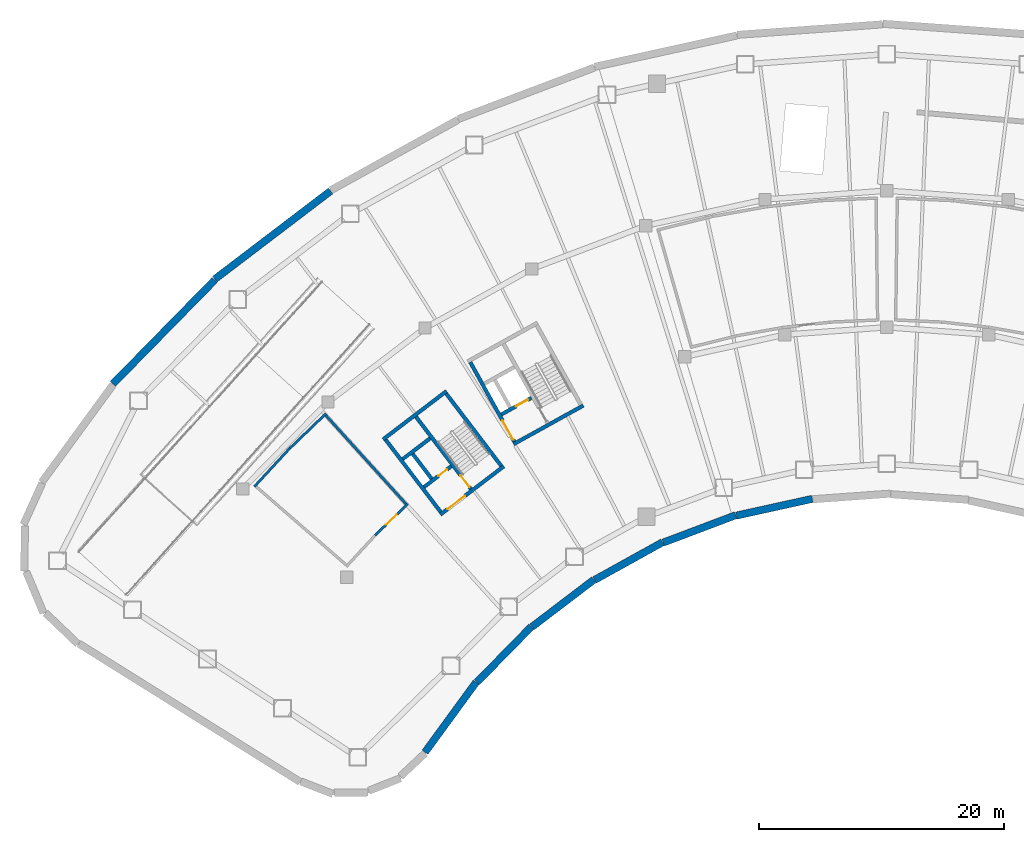
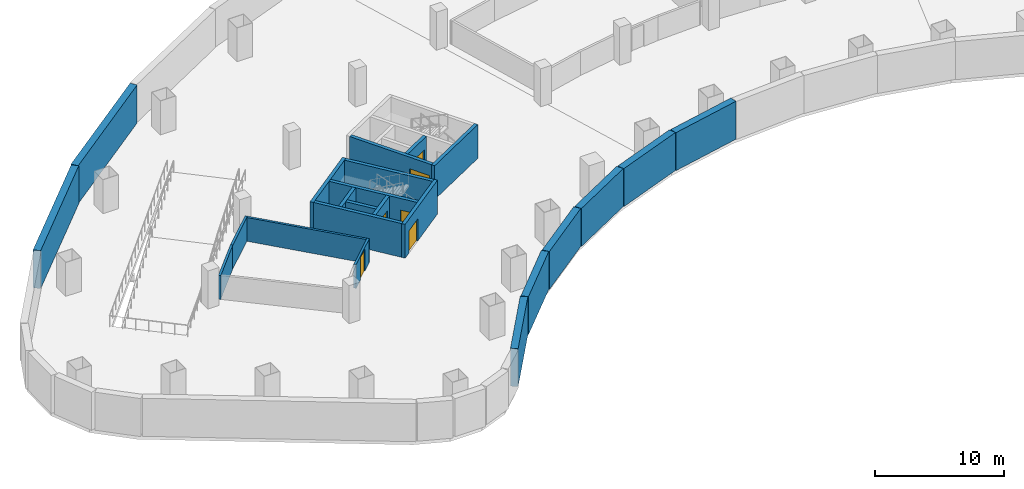
# One storey, part 4 of 10: 23 walls, 6 doors, 6 openings.
"""IFC4 building model written with IfcOpenShell, lengths in metres."""

from ifc_helpers import new_model, si_unit, direction, frame, frame_2d, origin, place, context, subcontext, project, spatial, rectangle, extrude, material, layer, layer_set, type_object, element, fill, save


model = new_model("IFC4")

# Units and contexts
model_context = context("Model", 3, precision=1e-05, world=origin(), true_north=direction((0.0, 1.0)))
body_context = subcontext(model_context, "Body", "Model", "MODEL_VIEW")
ifc_project = project(units=[si_unit("LENGTHUNIT", "METRE"), si_unit("AREAUNIT", "SQUARE_METRE"), si_unit("VOLUMEUNIT", "CUBIC_METRE"), si_unit("PLANEANGLEUNIT", "RADIAN"), si_unit("MASSUNIT", "GRAM", prefix="KILO")], contexts=[model_context])

# Site, building, storey
site_placement = place(None, origin())
site = spatial("IfcSite", under=ifc_project, at=site_placement, CompositionType="ELEMENT")
building_placement = place(site_placement, origin())
building = spatial("IfcBuilding", under=site, at=building_placement, Name="Tuul Gate Civic Tower", CompositionType="ELEMENT")
storey_placement = place(building_placement, frame((0.0, 0.0, -8.10009765625)))
storey = spatial("IfcBuildingStorey", under=building, at=storey_placement, Name="Basement 2", CompositionType="ELEMENT", Elevation=-8.10009765625)

# Walls
ifc_material_1 = material(Name="Concrete block", Category="concrete")
ifc_layer_1 = layer(ifc_material_1, 0.199951171875)
ifc_layer_set_1 = layer_set([ifc_layer_1], Name="Concrete block")
wall_type_1 = type_object("IfcWallType", Name="Basement room wall EI 120", PredefinedType="PARTITIONING", material=ifc_layer_set_1)
wall_1_placement = place(storey_placement, frame((-51.51953125, -15.330322265625, 0.0), z_axis=(0.0, 0.0, 1.0), x_axis=(0.678425052113, 0.734669618717, 0.0)))
element("IfcWall", 1, at=wall_1_placement, inside=storey, type_object=wall_type_1, Name="Room wall", PredefinedType="PARTITIONING", context=body_context, shape_type="SweptSolid", body=[
    extrude(rectangle(XDim=4.266845703125, YDim=0.199951171875, at=frame_2d((2.13330078125, 0.0))), origin(), (0.0, 0.0, 1.0), 2.25),
])
wall_2_placement = place(storey_placement, frame((-48.7646484375, -12.33837890625, 0.0), z_axis=(0.0, 0.0, 1.0), x_axis=(0.720986985757, 0.692948602978, 0.0)))
element("IfcWall", 2, at=wall_2_placement, inside=storey, type_object=wall_type_1, Name="Room wall", PredefinedType="PARTITIONING", context=body_context, shape_type="SweptSolid", body=[
    extrude(rectangle(XDim=4.2666015625, YDim=0.199951171875, at=frame_2d((2.13330078125, 0.0))), origin(), (0.0, 0.0, 1.0), 2.25),
])
wall_3_placement = place(storey_placement, frame((-45.82763671875, -9.376953125, 0.0), z_axis=(0.0, 0.0, 1.0), x_axis=(0.671128511125, -0.741341029186, 0.0)))
element("IfcWall", 3, at=wall_3_placement, inside=storey, type_object=wall_type_1, Name="Room wall", PredefinedType="PARTITIONING", context=body_context, shape_type="SweptSolid", body=[
    extrude(rectangle(XDim=10.12890625, YDim=0.199951171875, at=frame_2d((5.064453125, 0.0))), origin(), (0.0, 0.0, 1.0), 2.25),
])

# Wall, opening, door
wall_4_placement = place(storey_placement, frame((-39.02490234375, -16.742431640625, 0.0), z_axis=(0.0, 0.0, 1.0), x_axis=(-0.720986248136, -0.692949370444, 0.0)))
wall_4 = element("IfcWall", 4, at=wall_4_placement, inside=storey, type_object=wall_type_1, Name="Room wall", PredefinedType="PARTITIONING", context=body_context, shape_type="SweptSolid", body=[
    extrude(rectangle(XDim=3.6748046875, YDim=0.199951171875, at=frame_2d((1.83740234375, 0.0))), origin(), (0.0, 0.0, 1.0), 2.25),
])
opening_1_placement = place(wall_4_placement, frame((1.2373046875, 0.0, 0.0)))
opening_1 = element("IfcOpeningElement", 5, at=opening_1_placement, cuts=wall_4, Name="Opening PD", PredefinedType="OPENING", context=body_context, shape_type="SweptSolid", body=[
    extrude(rectangle(XDim=1.199951171875, YDim=2.10009765625, at=frame_2d((0.60009765625, 1.050048828125))), frame((0.0, 0.10986328125, 0.0), z_axis=(0.0, -1.0, 0.0), x_axis=(1.0, 0.0, 0.0)), (0.0, 0.0, 1.0), 0.219970703125),
])
ifc_material_2 = material(Name="Steel door", Category="steel")
door_type_1 = type_object("IfcDoorType", Name="Plant room door", OperationType="DOUBLE_DOOR_SINGLE_SWING", PredefinedType="DOOR", material=ifc_material_2)
door_1_placement = place(opening_1_placement, origin())
door_1 = element("IfcDoor", 6, at=door_1_placement, inside=storey, type_object=door_type_1, Name="Door", OperationType="DOUBLE_DOOR_SINGLE_SWING", OverallHeight=2.10009765625, OverallWidth=1.199951171875, PredefinedType="DOOR", context=body_context, shape_type="SweptSolid", body=[
    extrude(rectangle(XDim=1.199951171875, YDim=2.10009765625, at=frame_2d((0.60009765625, 1.050048828125))), frame((0.0, 0.02490234375, 0.0), z_axis=(0.0, -1.0, 0.0), x_axis=(1.0, 0.0, 0.0)), (0.0, 0.0, 1.0), 0.050048828125),
])
fill(opening_1, door_1)

ifc_material_3 = material(Name="Concrete C50/60", Category="concrete")
ifc_layer_2 = layer(ifc_material_3, 0.300048828125)
ifc_layer_set_2 = layer_set([ifc_layer_2], Name="Concrete C50/60")
wall_type_2 = type_object("IfcWallType", Name="Core wall C50/60", PredefinedType="SHEAR", material=ifc_layer_set_2)
wall_5_placement = place(storey_placement, frame((-31.19091796875, -13.669677734375, 0.0), z_axis=(0.0, 0.0, 1.0), x_axis=(-0.795606717756, -0.605813461934, 0.0)))
wall_5 = element("IfcWall", 7, at=wall_5_placement, inside=storey, type_object=wall_type_2, Name="Core wall", PredefinedType="SHEAR", context=body_context, shape_type="SweptSolid", body=[
    extrude(rectangle(XDim=6.5, YDim=0.300048828125, at=frame_2d((3.25, 0.0))), origin(), (0.0, 0.0, 1.0), 3.2001953125),
])
opening_2_placement = place(wall_5_placement, frame((3.97509765625, 0.0, 0.0)))
opening_2 = element("IfcOpeningElement", 8, at=opening_2_placement, cuts=wall_5, Name="Opening LB-W1-LOBBY-1", PredefinedType="OPENING", context=body_context, shape_type="SweptSolid", body=[
    extrude(rectangle(XDim=1.800048828125, YDim=2.10009765625, at=frame_2d((0.89990234375, 1.050048828125))), frame((0.0, 0.16015625, 0.0), z_axis=(0.0, -1.0, 0.0), x_axis=(1.0, 0.0, 0.0)), (0.0, 0.0, 1.0), 0.320068359375),
])
ifc_material_4 = material(Name="Steel", Category="steel")
door_type_2 = type_object("IfcDoorType", Name="Lobby door", OperationType="DOUBLE_DOOR_SINGLE_SWING", PredefinedType="DOOR", material=ifc_material_4)
door_2_placement = place(opening_2_placement, origin())
door_2 = element("IfcDoor", 9, at=door_2_placement, inside=storey, type_object=door_type_2, Name="Lobby door W1-LOBBY", OperationType="DOUBLE_DOOR_SINGLE_SWING", OverallHeight=2.10009765625, OverallWidth=1.800048828125, PredefinedType="DOOR", context=body_context, shape_type="SweptSolid", body=[
    extrude(rectangle(XDim=1.800048828125, YDim=2.10009765625, at=frame_2d((0.89990234375, 1.050048828125))), frame((0.0, 0.02490234375, 0.0), z_axis=(0.0, -1.0, 0.0), x_axis=(1.0, 0.0, 0.0)), (0.0, 0.0, 1.0), 0.050048828125),
])
fill(opening_2, door_2)

wall_6_placement = place(storey_placement, frame((-35.470947265625, -13.66064453125, 0.0), z_axis=(0.0, 0.0, 1.0), x_axis=(-0.795615822227, -0.605801504968, 0.0)))
wall_6 = element("IfcWall", 10, at=wall_6_placement, inside=storey, type_object=wall_type_2, Name="Core wall", PredefinedType="SHEAR", context=body_context, shape_type="SweptSolid", body=[
    extrude(rectangle(XDim=2.800048828125, YDim=0.300048828125, at=frame_2d((1.39990234375, 0.0))), origin(), (0.0, 0.0, 1.0), 3.2001953125),
])
opening_3_placement = place(wall_6_placement, frame((0.425048828125, 0.0, 0.0)))
opening_3 = element("IfcOpeningElement", 11, at=opening_3_placement, cuts=wall_6, Name="Opening FB-W1A1", PredefinedType="OPENING", context=body_context, shape_type="SweptSolid", body=[
    extrude(rectangle(XDim=0.89990234375, YDim=2.10009765625, at=frame_2d((0.449951171875, 1.050048828125))), frame((0.0, 0.16015625, 0.0), z_axis=(0.0, -1.0, 0.0), x_axis=(1.0, 0.0, 0.0)), (0.0, 0.0, 1.0), 0.320068359375),
])
ifc_material_5 = material(Name="Steel", Category="steel")
door_type_3 = type_object("IfcDoorType", Name="Store door", OperationType="NOTDEFINED", PredefinedType="DOOR", material=ifc_material_5)
door_3_placement = place(opening_3_placement, frame((0.89990234375, 0.0, 0.0), z_axis=(0.0, 0.0, 1.0), x_axis=(-1.0, 0.0, 0.0)))
door_3 = element("IfcDoor", 12, at=door_3_placement, inside=storey, type_object=door_type_3, Name="Store door W1A1", OperationType="SINGLE_SWING_RIGHT", OverallHeight=2.10009765625, OverallWidth=0.89990234375, PredefinedType="DOOR", context=body_context, shape_type="SweptSolid", body=[
    extrude(rectangle(XDim=0.89990234375, YDim=2.10009765625, at=frame_2d((0.449951171875, 1.050048828125))), frame((0.0, 0.02490234375, 0.0), z_axis=(0.0, -1.0, 0.0), x_axis=(1.0, 0.0, 0.0)), (0.0, 0.0, 1.0), 0.050048828125),
])
fill(opening_3, door_3)

# Walls
wall_7_placement = place(storey_placement, frame((-37.197509765625, -11.39306640625, 0.0), z_axis=(0.0, 0.0, 1.0), x_axis=(-0.795583820278, -0.605843531707, 0.0)))
element("IfcWall", 13, at=wall_7_placement, inside=storey, type_object=wall_type_2, Name="Core wall", PredefinedType="SHEAR", context=body_context, shape_type="SweptSolid", body=[
    extrude(rectangle(XDim=2.7998046875, YDim=0.300048828125, at=frame_2d((1.39990234375, 0.0))), origin(), (0.0, 0.0, 1.0), 3.2001953125),
])
wall_8_placement = place(storey_placement, frame((-35.855224609375, -7.543212890625, 0.0), z_axis=(0.0, 0.0, 1.0), x_axis=(-0.79563860527, -0.605771582202, 0.0)))
element("IfcWall", 14, at=wall_8_placement, inside=storey, type_object=wall_type_2, Name="Core wall", PredefinedType="SHEAR", context=body_context, shape_type="SweptSolid", body=[
    extrude(rectangle(XDim=6.5, YDim=0.300048828125, at=frame_2d((3.25, 0.0))), origin(), (0.0, 0.0, 1.0), 3.2001953125),
])
wall_9_placement = place(storey_placement, frame((-31.401123046875, -13.64111328125, 0.0), z_axis=(0.0, 0.0, 1.0), x_axis=(-0.605769822278, 0.795639945213, 0.0)))
element("IfcWall", 15, at=wall_9_placement, inside=storey, type_object=wall_type_2, Name="Core wall", PredefinedType="SHEAR", context=body_context, shape_type="SweptSolid", body=[
    extrude(rectangle(XDim=7.39990234375, YDim=0.300048828125, at=frame_2d((3.699951171875, 0.0))), origin(), (0.0, 0.0, 1.0), 3.2001953125),
])

# Wall, opening, door
wall_10_placement = place(storey_placement, frame((-33.867431640625, -15.51904296875, 0.0), z_axis=(0.0, 0.0, 1.0), x_axis=(-0.605769822278, 0.795639945213, 0.0)))
wall_10 = element("IfcWall", 16, at=wall_10_placement, inside=storey, type_object=wall_type_2, Name="Core wall", PredefinedType="SHEAR", context=body_context, shape_type="SweptSolid", body=[
    extrude(rectangle(XDim=7.39990234375, YDim=0.300048828125, at=frame_2d((3.699951171875, 0.0))), origin(), (0.0, 0.0, 1.0), 3.2001953125),
])
opening_4_placement = place(wall_10_placement, frame((0.199951171875, 0.0, 0.0)))
opening_4 = element("IfcOpeningElement", 17, at=opening_4_placement, cuts=wall_10, Name="Opening SD-ST-1", PredefinedType="OPENING", context=body_context, shape_type="SweptSolid", body=[
    extrude(rectangle(XDim=1.199951171875, YDim=2.10009765625, at=frame_2d((0.60009765625, 1.050048828125))), frame((0.0, 0.16015625, 0.0), z_axis=(0.0, -1.0, 0.0), x_axis=(1.0, 0.0, 0.0)), (0.0, 0.0, 1.0), 0.320068359375),
])
ifc_material_6 = material(Name="Steel", Category="steel")
door_type_4 = type_object("IfcDoorType", Name="Stair door", OperationType="NOTDEFINED", PredefinedType="DOOR", material=ifc_material_6)
door_4_placement = place(opening_4_placement, origin())
door_4 = element("IfcDoor", 18, at=door_4_placement, inside=storey, type_object=door_type_4, Name="Stair door ST-1", OperationType="SINGLE_SWING_LEFT", OverallHeight=2.10009765625, OverallWidth=1.199951171875, PredefinedType="DOOR", context=body_context, shape_type="SweptSolid", body=[
    extrude(rectangle(XDim=1.199951171875, YDim=2.10009765625, at=frame_2d((0.60009765625, 1.050048828125))), frame((0.0, 0.02490234375, 0.0), z_axis=(0.0, -1.0, 0.0), x_axis=(1.0, 0.0, 0.0)), (0.0, 0.0, 1.0), 0.050048828125),
])
fill(opening_4, door_4)

# Walls
wall_11_placement = place(storey_placement, frame((-37.073486328125, -14.6923828125, 0.0), z_axis=(0.0, 0.0, 1.0), x_axis=(-0.605728760074, 0.79567120673, 0.0)))
element("IfcWall", 19, at=wall_11_placement, inside=storey, type_object=wall_type_2, Name="Core wall", PredefinedType="SHEAR", context=body_context, shape_type="SweptSolid", body=[
    extrude(rectangle(XDim=2.550048828125, YDim=0.300048828125, at=frame_2d((1.27490234375, 0.0))), origin(), (0.0, 0.0, 1.0), 3.2001953125),
])
wall_12_placement = place(storey_placement, frame((-36.333984375, -17.397216796875, 0.0), z_axis=(0.0, 0.0, 1.0), x_axis=(-0.605753921168, 0.795652051458, 0.0)))
element("IfcWall", 20, at=wall_12_placement, inside=storey, type_object=wall_type_2, Name="Core wall", PredefinedType="SHEAR", context=body_context, shape_type="SweptSolid", body=[
    extrude(rectangle(XDim=7.400146484375, YDim=0.300048828125, at=frame_2d((3.7001953125, 0.0))), origin(), (0.0, 0.0, 1.0), 3.2001953125),
])
wall_13_placement = place(storey_placement, frame((-24.711669921875, -8.7158203125, 0.0), z_axis=(0.0, 0.0, 1.0), x_axis=(-0.874629909008, -0.484791215132, 0.0)))
element("IfcWall", 21, at=wall_13_placement, inside=storey, type_object=wall_type_2, Name="Core wall", PredefinedType="SHEAR", context=body_context, shape_type="SweptSolid", body=[
    extrude(rectangle(XDim=6.5, YDim=0.300048828125, at=frame_2d((3.25, 0.0))), origin(), (0.0, 0.0, 1.0), 3.2001953125),
])

# Wall, opening, door
wall_14_placement = place(storey_placement, frame((-28.94580078125, -8.090087890625, 0.0), z_axis=(0.0, 0.0, 1.0), x_axis=(-0.874629840737, -0.484791338301, 0.0)))
wall_14 = element("IfcWall", 22, at=wall_14_placement, inside=storey, type_object=wall_type_2, Name="Core wall", PredefinedType="SHEAR", context=body_context, shape_type="SweptSolid", body=[
    extrude(rectangle(XDim=2.800048828125, YDim=0.300048828125, at=frame_2d((1.39990234375, 0.0))), origin(), (0.0, 0.0, 1.0), 3.2001953125),
])
opening_5_placement = place(wall_14_placement, frame((0.324951171875, 0.0, 0.0)))
opening_5 = element("IfcOpeningElement", 23, at=opening_5_placement, cuts=wall_14, Name="Opening LD-FF-1", PredefinedType="OPENING", context=body_context, shape_type="SweptSolid", body=[
    extrude(rectangle(XDim=1.10009765625, YDim=2.10009765625, at=frame_2d((0.550048828125, 1.050048828125))), frame((0.0, 0.16015625, 0.0), z_axis=(0.0, -1.0, 0.0), x_axis=(1.0, 0.0, 0.0)), (0.0, 0.0, 1.0), 0.320068359375),
])
ifc_material_7 = material(Name="Stainless steel", Category="steel")
door_type_5 = type_object("IfcDoorType", Name="Landing door", OperationType="DOUBLE_DOOR_SLIDING", PredefinedType="DOOR", material=ifc_material_7)
door_5_placement = place(opening_5_placement, origin())
door_5 = element("IfcDoor", 24, at=door_5_placement, inside=storey, type_object=door_type_5, Name="Fire-fighting lift FF-1 landing door", OperationType="DOUBLE_DOOR_SLIDING", OverallHeight=2.10009765625, OverallWidth=1.10009765625, PredefinedType="DOOR", context=body_context, shape_type="SweptSolid", body=[
    extrude(rectangle(XDim=1.10009765625, YDim=2.10009765625, at=frame_2d((0.550048828125, 1.050048828125))), frame((0.0, 0.02490234375, 0.0), z_axis=(0.0, -1.0, 0.0), x_axis=(1.0, 0.0, 0.0)), (0.0, 0.0, 1.0), 0.050048828125),
])
fill(opening_5, door_5)

wall_15_placement = place(storey_placement, frame((-30.33837890625, -11.6630859375, 0.0), z_axis=(0.0, 0.0, 1.0), x_axis=(-0.484751894226, 0.874651702704, 0.0)))
wall_15 = element("IfcWall", 25, at=wall_15_placement, inside=storey, type_object=wall_type_2, Name="Core wall", PredefinedType="SHEAR", context=body_context, shape_type="SweptSolid", body=[
    extrude(rectangle(XDim=7.39990234375, YDim=0.300048828125, at=frame_2d((3.699951171875, 0.0))), origin(), (0.0, 0.0, 1.0), 3.2001953125),
])
opening_6_placement = place(wall_15_placement, frame((0.175048828125, 0.0, 0.0)))
opening_6 = element("IfcOpeningElement", 26, at=opening_6_placement, cuts=wall_15, Name="Opening LB-W2-FLOBBY-1", PredefinedType="OPENING", context=body_context, shape_type="SweptSolid", body=[
    extrude(rectangle(XDim=1.800048828125, YDim=2.10009765625, at=frame_2d((0.89990234375, 1.050048828125))), frame((0.0, 0.16015625, 0.0), z_axis=(0.0, -1.0, 0.0), x_axis=(1.0, 0.0, 0.0)), (0.0, 0.0, 1.0), 0.320068359375),
])
door_6_placement = place(opening_6_placement, origin())
door_6 = element("IfcDoor", 27, at=door_6_placement, inside=storey, type_object=door_type_2, Name="Lobby door W2-FLOBBY", OperationType="DOUBLE_DOOR_SINGLE_SWING", OverallHeight=2.10009765625, OverallWidth=1.800048828125, PredefinedType="DOOR", context=body_context, shape_type="SweptSolid", body=[
    extrude(rectangle(XDim=1.800048828125, YDim=2.10009765625, at=frame_2d((0.89990234375, 1.050048828125))), frame((0.0, 0.02490234375, 0.0), z_axis=(0.0, -1.0, 0.0), x_axis=(1.0, 0.0, 0.0)), (0.0, 0.0, 1.0), 0.050048828125),
])
fill(opening_6, door_6)

# Walls
ifc_material_8 = material(Name="Concrete C40/50", Category="concrete")
ifc_layer_3 = layer(ifc_material_8, 0.60009765625)
ifc_layer_set_3 = layer_set([ifc_layer_3], Name="Concrete C40/50")
wall_type_3 = type_object("IfcWallType", Name="STR-BASEMENT-WALL-600", PredefinedType="SOLIDWALL", material=ifc_layer_set_3)
wall_16_placement = place(storey_placement, frame((-45.3056640625, 8.762939453125, 0.0), z_axis=(0.0, 0.0, 1.0), x_axis=(-0.795626369188, -0.605787653104, 0.0)))
element("IfcWall", 28, at=wall_16_placement, inside=storey, type_object=wall_type_3, Name="Retaining wall", PredefinedType="SOLIDWALL", context=body_context, shape_type="SweptSolid", body=[
    extrude(rectangle(XDim=11.85986328125, YDim=0.60009765625, at=frame_2d((5.929931640625, 0.0))), origin(), (0.0, 0.0, 1.0), 3.60009765625),
])
wall_17_placement = place(storey_placement, frame((-54.7421875, 1.51611328125, 0.0), z_axis=(0.0, 0.0, 1.0), x_axis=(-0.700052476252, -0.714091402058, 0.0)))
element("IfcWall", 29, at=wall_17_placement, inside=storey, type_object=wall_type_3, Name="Retaining wall", PredefinedType="SOLIDWALL", context=body_context, shape_type="SweptSolid", body=[
    extrude(rectangle(XDim=11.860107421875, YDim=0.60009765625, at=frame_2d((5.93017578125, 0.0))), origin(), (0.0, 0.0, 1.0), 3.60009765625),
])
wall_18_placement = place(storey_placement, frame((-37.609375, -36.96875, 0.0), z_axis=(0.0, 0.0, 1.0), x_axis=(0.589803496395, 0.807546800898, 0.0)))
element("IfcWall", 30, at=wall_18_placement, inside=storey, type_object=wall_type_3, Name="Retaining wall", PredefinedType="SOLIDWALL", context=body_context, shape_type="SweptSolid", body=[
    extrude(rectangle(XDim=7.067138671875, YDim=0.60009765625, at=frame_2d((3.53369140625, 0.0))), origin(), (0.0, 0.0, 1.0), 3.60009765625),
])
wall_19_placement = place(storey_placement, frame((-33.37890625, -31.260009765625, 0.0), z_axis=(0.0, 0.0, 1.0), x_axis=(0.700008509705, 0.714134501575, 0.0)))
element("IfcWall", 31, at=wall_19_placement, inside=storey, type_object=wall_type_3, Name="Retaining wall", PredefinedType="SOLIDWALL", context=body_context, shape_type="SweptSolid", body=[
    extrude(rectangle(XDim=6.32568359375, YDim=0.60009765625, at=frame_2d((3.162841796875, 0.0))), origin(), (0.0, 0.0, 1.0), 3.60009765625),
])
wall_20_placement = place(storey_placement, frame((-28.889404296875, -26.75, 0.0), z_axis=(0.0, 0.0, 1.0), x_axis=(0.795574327879, 0.605855996768, 0.0)))
element("IfcWall", 32, at=wall_20_placement, inside=storey, type_object=wall_type_3, Name="Retaining wall", PredefinedType="SOLIDWALL", context=body_context, shape_type="SweptSolid", body=[
    extrude(rectangle(XDim=6.326171875, YDim=0.60009765625, at=frame_2d((3.1630859375, 0.0))), origin(), (0.0, 0.0, 1.0), 3.60009765625),
])
wall_21_placement = place(storey_placement, frame((-23.796142578125, -22.933349609375, 0.0), z_axis=(0.0, 0.0, 1.0), x_axis=(0.874642854218, 0.484767859461, 0.0)))
element("IfcWall", 33, at=wall_21_placement, inside=storey, type_object=wall_type_3, Name="Retaining wall", PredefinedType="SOLIDWALL", context=body_context, shape_type="SweptSolid", body=[
    extrude(rectangle(XDim=6.326416015625, YDim=0.60009765625, at=frame_2d((3.1630859375, 0.0))), origin(), (0.0, 0.0, 1.0), 3.60009765625),
])
wall_22_placement = place(storey_placement, frame((-18.20556640625, -19.89111328125, 0.0), z_axis=(0.0, 0.0, 1.0), x_axis=(0.93537253931, 0.353663982764, 0.0)))
element("IfcWall", 34, at=wall_22_placement, inside=storey, type_object=wall_type_3, Name="Retaining wall", PredefinedType="SOLIDWALL", context=body_context, shape_type="SweptSolid", body=[
    extrude(rectangle(XDim=6.326171875, YDim=0.60009765625, at=frame_2d((3.1630859375, 0.0))), origin(), (0.0, 0.0, 1.0), 3.60009765625),
])
wall_23_placement = place(storey_placement, frame((-12.2353515625, -17.6865234375, 0.0), z_axis=(0.0, 0.0, 1.0), x_axis=(0.976575086018, 0.215176907144, 0.0)))
element("IfcWall", 35, at=wall_23_placement, inside=storey, type_object=wall_type_3, Name="Retaining wall", PredefinedType="SOLIDWALL", context=body_context, shape_type="SweptSolid", body=[
    extrude(rectangle(XDim=6.325439453125, YDim=0.60009765625, at=frame_2d((3.16259765625, 0.0))), origin(), (0.0, 0.0, 1.0), 3.60009765625),
])

save(model, "model.ifc")
